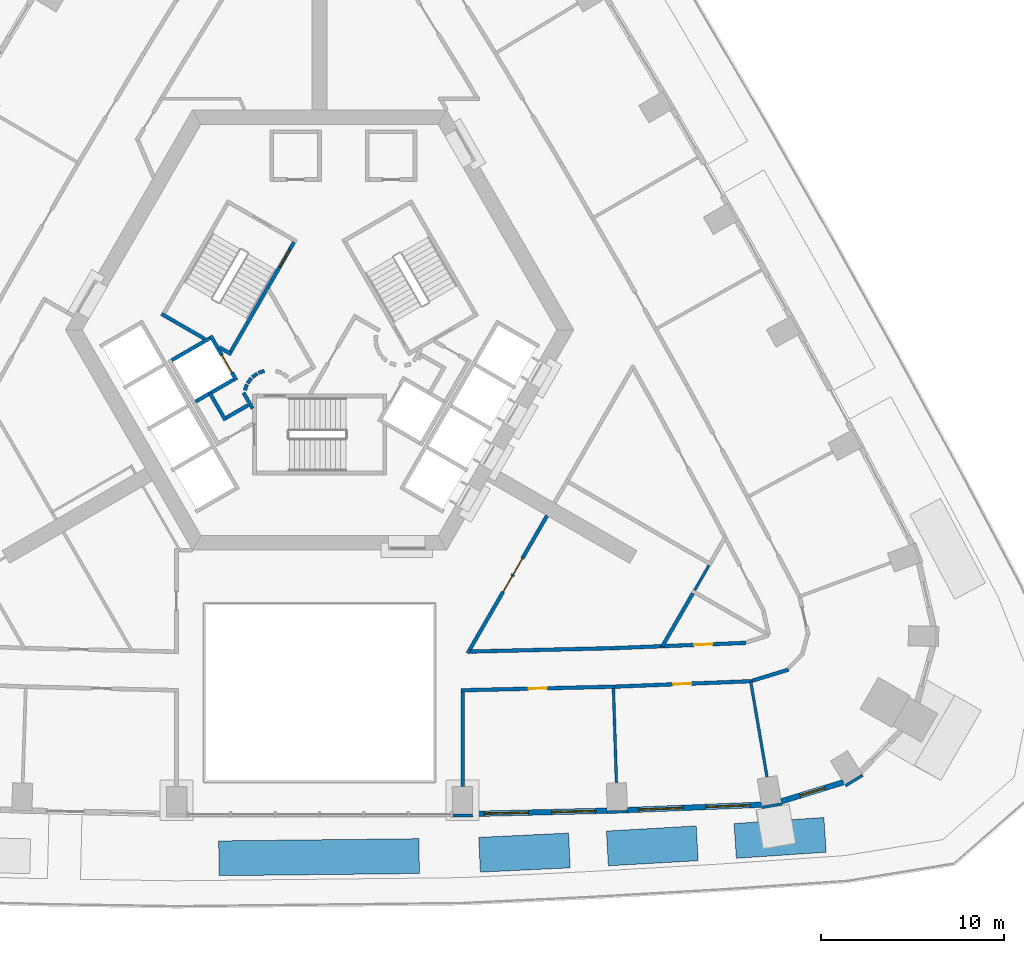
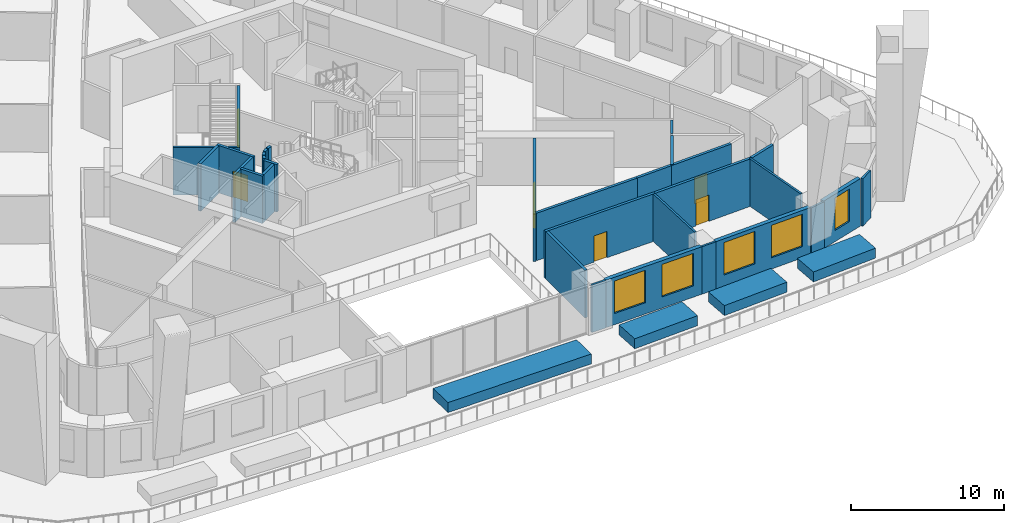
# One storey, part 6 of 16: 36 walls, 7 doors, 5 windows, 12 openings.
"""IFC4 building model written with IfcOpenShell, lengths in metres."""

from ifc_helpers import new_model, si_unit, direction, frame, frame_2d, origin, place, context, subcontext, project, spatial, rectangle, extrude, material, layer, layer_set, type_object, element, fill, save


model = new_model("IFC4")

# Units and contexts
model_context = context("Model", 3, precision=1e-05, world=origin(), true_north=direction((0.0, 1.0)))
body_context = subcontext(model_context, "Body", "Model", "MODEL_VIEW")
ifc_project = project(units=[si_unit("LENGTHUNIT", "METRE"), si_unit("AREAUNIT", "SQUARE_METRE"), si_unit("VOLUMEUNIT", "CUBIC_METRE"), si_unit("PLANEANGLEUNIT", "RADIAN"), si_unit("MASSUNIT", "GRAM", prefix="KILO")], contexts=[model_context])

# Site, building, storey
site_placement = place(None, origin())
site = spatial("IfcSite", under=ifc_project, at=site_placement, CompositionType="ELEMENT")
building_placement = place(site_placement, origin())
building = spatial("IfcBuilding", under=site, at=building_placement, Name="Entoto Arch Interchange Tower", CompositionType="ELEMENT")
storey_placement = place(building_placement, frame((0.0, 0.0, 138.199951171875)))
storey = spatial("IfcBuildingStorey", under=building, at=storey_placement, Name="L30", CompositionType="ELEMENT", Elevation=138.199951171875)

# Wall, opening, door
ifc_material_1 = material(Name="Concrete C40/50", Category="concrete")
ifc_layer_1 = layer(ifc_material_1, 0.199951171875)
ifc_layer_set_1 = layer_set([ifc_layer_1], Name="Concrete C40/50")
wall_type_1 = type_object("IfcWallType", Name="LIFT SHAFT WALL 200", PredefinedType="STANDARD", material=ifc_layer_set_1)
wall_1_placement = place(storey_placement, frame((-5.93994140625, 2.18798828125, 0.0), z_axis=(0.0, 0.0, 1.0), x_axis=(0.49994636267, -0.866056369097, 0.0)))
wall_1 = element("IfcWall", 1, at=wall_1_placement, inside=storey, type_object=wall_type_1, Name="Shaft wall SW1 front", PredefinedType="STANDARD", context=body_context, shape_type="SweptSolid", body=[
    extrude(rectangle(XDim=2.800048828125, YDim=0.199951171875, at=frame_2d((1.39990234375, 0.0))), origin(), (0.0, 0.0, 1.0), 3.800048828125),
])
opening_1_placement = place(wall_1_placement, frame((1.22509765625, 0.0, 0.0)))
opening_1 = element("IfcOpeningElement", 2, at=opening_1_placement, cuts=wall_1, Name="Opening LD-FF2-L30", PredefinedType="OPENING", context=body_context, shape_type="SweptSolid", body=[
    extrude(rectangle(XDim=1.10009765625, YDim=2.10009765625, at=frame_2d((0.550048828125, 1.050048828125))), frame((0.0, 0.10986328125, 0.0), z_axis=(0.0, -1.0, 0.0), x_axis=(1.0, 0.0, 0.0)), (0.0, 0.0, 1.0), 0.219970703125),
])
ifc_material_2 = material(Name="Stainless steel 1.4301 panels", Category="steel")
door_type_1 = type_object("IfcDoorType", Name="LIFT LANDING DOOR LD1 1100x2100", OperationType="SLIDING_TO_LEFT", PredefinedType="DOOR", material=ifc_material_2)
door_1_placement = place(opening_1_placement, origin())
door_1 = element("IfcDoor", 3, at=door_1_placement, inside=storey, type_object=door_type_1, Name="Lift landing door FF2 L30", OperationType="SLIDING_TO_LEFT", OverallHeight=2.10009765625, OverallWidth=1.10009765625, PredefinedType="DOOR", context=body_context, shape_type="SweptSolid", body=[
    extrude(rectangle(XDim=1.10009765625, YDim=2.10009765625, at=frame_2d((0.550048828125, 1.050048828125))), frame((0.0, 0.02490234375, 0.0), z_axis=(0.0, -1.0, 0.0), x_axis=(1.0, 0.0, 0.0)), (0.0, 0.0, 1.0), 0.050048828125),
])
fill(opening_1, door_1)

# Walls
for number, where, z_axis, x_axis, name in (
    (4, (-5.97705078125, 2.052001953125, 0.0), (0.0, 0.0, 1.0), (-0.865973769406, -0.500089422704, 0.0), "Shaft wall SW1 cross 1"),
    (5, (-4.677001953125, -0.199951171875, 0.0), (0.0, 0.0, 1.0), (-0.865973769406, -0.500089422704, 0.0), "Shaft wall SW1 cross 2"),
):
    element("IfcWall", number, at=place(storey_placement, frame(where, z_axis=z_axis, x_axis=x_axis)), inside=storey, type_object=wall_type_1, Name=name, PredefinedType="STANDARD", context=body_context, shape_type="SweptSolid", body=[
        extrude(rectangle(XDim=2.3994140625, YDim=0.199951171875, at=frame_2d((1.19970703125, 0.0))), origin(), (0.0, 0.0, 1.0), 3.800048828125),
    ])
ifc_material_3 = material(Name="Gypsum board partition on steel studs", Category="steel")
ifc_layer_2 = layer(ifc_material_3, 0.14990234375)
ifc_layer_set_2 = layer_set([ifc_layer_2], Name="Gypsum board partition on steel studs")
wall_type_2 = type_object("IfcWallType", Name="PARTITION 150", PredefinedType="PARTITIONING", material=ifc_layer_set_2)
wall_2_placement = place(storey_placement, frame((21.22802734375, -10.3310546875, 0.0), z_axis=(0.0, 0.0, 1.0), x_axis=(-0.499920861661, -0.866071089505, 0.0)))
element("IfcWall", 6, at=wall_2_placement, inside=storey, type_object=wall_type_2, Name="wall:L30:p111", PredefinedType="PARTITIONING", context=body_context, shape_type="SweptSolid", body=[
    extrude(rectangle(XDim=1.562255859375, YDim=0.14990234375, at=frame_2d((0.78125, 0.0))), origin(), (0.0, 0.0, 1.0), 3.800048828125),
])
wall_3_placement = place(storey_placement, frame((16.01806640625, -17.044921875, 0.0), z_axis=(0.0, 0.0, 1.0), x_axis=(0.031744385759, -0.999496019988, 0.0)))
element("IfcWall", 7, at=wall_3_placement, inside=storey, type_object=wall_type_2, Name="wall:L30:p123", PredefinedType="PARTITIONING", context=body_context, shape_type="SweptSolid", body=[
    extrude(rectangle(XDim=5.1298828125, YDim=0.14990234375, at=frame_2d((2.56494140625, 0.0))), origin(), (0.0, 0.0, 1.0), 3.800048828125),
])
wall_4_placement = place(storey_placement, frame((23.498046875, -16.64599609375, 0.0), z_axis=(0.0, 0.0, 1.0), x_axis=(0.168275674737, -0.985739974482, 0.0)))
element("IfcWall", 8, at=wall_4_placement, inside=storey, type_object=wall_type_2, Name="wall:L30:p124", PredefinedType="PARTITIONING", context=body_context, shape_type="SweptSolid", body=[
    extrude(rectangle(XDim=5.288330078125, YDim=0.14990234375, at=frame_2d((2.64404296875, 0.0))), origin(), (0.0, 0.0, 1.0), 3.800048828125),
])
ifc_layer_3 = layer(ifc_material_3, 0.199951171875)
ifc_layer_set_3 = layer_set([ifc_layer_3], Name="Gypsum board partition on steel studs")
wall_type_3 = type_object("IfcWallType", Name="PARTITION 200", PredefinedType="PARTITIONING", material=ifc_layer_set_3)
wall_5_placement = place(storey_placement, frame((8.222900390625, -15.029052734375, 0.0), z_axis=(0.0, 0.0, 1.0), x_axis=(0.99971920994, 0.023696018186, 0.0)))
element("IfcWall", 9, at=wall_5_placement, inside=storey, type_object=wall_type_3, Name="wall:L30:p013", PredefinedType="PARTITIONING", context=body_context, shape_type="SweptSolid", body=[
    extrude(rectangle(XDim=7.727294921875, YDim=0.199951171875, at=frame_2d((3.86376953125, 0.0))), origin(), (0.0, 0.0, 1.0), 3.800048828125),
])
wall_6_placement = place(storey_placement, frame((15.947998046875, -14.845947265625, 0.0), z_axis=(0.0, 0.0, 1.0), x_axis=(0.999208477774, 0.039779617206, 0.0)))
element("IfcWall", 10, at=wall_6_placement, inside=storey, type_object=wall_type_3, Name="wall:L30:p014", PredefinedType="PARTITIONING", context=body_context, shape_type="SweptSolid", body=[
    extrude(rectangle(XDim=2.63916015625, YDim=0.199951171875, at=frame_2d((1.319580078125, 0.0))), origin(), (0.0, 0.0, 1.0), 3.800048828125),
])

# Wall, opening, door
wall_7_placement = place(storey_placement, frame((18.5849609375, -14.740966796875, 0.0), z_axis=(0.0, 0.0, 1.0), x_axis=(0.99920304932, 0.039915739113, 0.0)))
wall_7 = element("IfcWall", 11, at=wall_7_placement, inside=storey, type_object=wall_type_3, Name="wall:L30:p018", PredefinedType="PARTITIONING", context=body_context, shape_type="SweptSolid", body=[
    extrude(rectangle(XDim=4.66064453125, YDim=0.199951171875, at=frame_2d((2.330322265625, 0.0))), origin(), (0.0, 0.0, 1.0), 3.800048828125),
])
opening_2_placement = place(wall_7_placement, frame((1.830078125, 0.0, 0.0)))
opening_2 = element("IfcOpeningElement", 12, at=opening_2_placement, cuts=wall_7, Name="Opening L30-D21", PredefinedType="OPENING", context=body_context, shape_type="SweptSolid", body=[
    extrude(rectangle(XDim=1.0, YDim=2.10009765625, at=frame_2d((0.5, 1.050048828125))), frame((0.0, 0.10986328125, 0.0), z_axis=(0.0, -1.0, 0.0), x_axis=(1.0, 0.0, 0.0)), (0.0, 0.0, 1.0), 0.219970703125),
])
ifc_material_4 = material(Name="Timber door leaf in Steel S235 frame", Category="steel")
door_type_2 = type_object("IfcDoorType", Name="DOOR DS-10 1000x2100", OperationType="SINGLE_SWING_LEFT", PredefinedType="DOOR", material=ifc_material_4)
door_2_placement = place(opening_2_placement, origin())
door_2 = element("IfcDoor", 13, at=door_2_placement, inside=storey, type_object=door_type_2, Name="door:L30:21", OperationType="SINGLE_SWING_LEFT", OverallHeight=2.10009765625, OverallWidth=1.0, PredefinedType="DOOR", context=body_context, shape_type="SweptSolid", body=[
    extrude(rectangle(XDim=1.0, YDim=2.10009765625, at=frame_2d((0.5, 1.050048828125))), frame((0.0, 0.02490234375, 0.0), z_axis=(0.0, -1.0, 0.0), x_axis=(1.0, 0.0, 0.0)), (0.0, 0.0, 1.0), 0.050048828125),
])
fill(opening_2, door_2)

wall_8_placement = place(storey_placement, frame((16.090087890625, -16.943115234375, 0.0), z_axis=(0.0, 0.0, 1.0), x_axis=(-0.999721662071, -0.023592337425, 0.0)))
wall_8 = element("IfcWall", 14, at=wall_8_placement, inside=storey, type_object=wall_type_3, Name="wall:L30:p032", PredefinedType="PARTITIONING", context=body_context, shape_type="SweptSolid", body=[
    extrude(rectangle(XDim=8.392578125, YDim=0.199951171875, at=frame_2d((4.1962890625, 0.0))), origin(), (0.0, 0.0, 1.0), 3.800048828125),
])
opening_3_placement = place(wall_8_placement, frame((3.696044921875, 0.0, 0.0)))
opening_3 = element("IfcOpeningElement", 15, at=opening_3_placement, cuts=wall_8, Name="Opening L30-D01", PredefinedType="OPENING", context=body_context, shape_type="SweptSolid", body=[
    extrude(rectangle(XDim=1.0, YDim=2.10009765625, at=frame_2d((0.5, 1.050048828125))), frame((0.0, 0.10986328125, 0.0), z_axis=(0.0, -1.0, 0.0), x_axis=(1.0, 0.0, 0.0)), (0.0, 0.0, 1.0), 0.219970703125),
])
door_3_placement = place(opening_3_placement, origin())
door_3 = element("IfcDoor", 16, at=door_3_placement, inside=storey, type_object=door_type_2, Name="door:L30:01", OperationType="SINGLE_SWING_RIGHT", OverallHeight=2.10009765625, OverallWidth=1.0, PredefinedType="DOOR", context=body_context, shape_type="SweptSolid", body=[
    extrude(rectangle(XDim=1.0, YDim=2.10009765625, at=frame_2d((0.5, 1.050048828125))), frame((0.0, 0.02490234375, 0.0), z_axis=(0.0, -1.0, 0.0), x_axis=(1.0, 0.0, 0.0)), (0.0, 0.0, 1.0), 0.050048828125),
])
fill(opening_3, door_3)

wall_9_placement = place(storey_placement, frame((23.597900390625, -16.64208984375, 0.0), z_axis=(0.0, 0.0, 1.0), x_axis=(-0.999203655486, -0.039900562205, 0.0)))
wall_9 = element("IfcWall", 17, at=wall_9_placement, inside=storey, type_object=wall_type_3, Name="wall:L30:p033", PredefinedType="PARTITIONING", context=body_context, shape_type="SweptSolid", body=[
    extrude(rectangle(XDim=7.513916015625, YDim=0.199951171875, at=frame_2d((3.7568359375, 0.0))), origin(), (0.0, 0.0, 1.0), 3.800048828125),
])
opening_4_placement = place(wall_9_placement, frame((3.33203125, 0.0, 0.0)))
opening_4 = element("IfcOpeningElement", 18, at=opening_4_placement, cuts=wall_9, Name="Opening L30-D02", PredefinedType="OPENING", context=body_context, shape_type="SweptSolid", body=[
    extrude(rectangle(XDim=1.0, YDim=2.10009765625, at=frame_2d((0.5, 1.050048828125))), frame((0.0, 0.10986328125, 0.0), z_axis=(0.0, -1.0, 0.0), x_axis=(1.0, 0.0, 0.0)), (0.0, 0.0, 1.0), 0.219970703125),
])
door_4_placement = place(opening_4_placement, origin())
door_4 = element("IfcDoor", 19, at=door_4_placement, inside=storey, type_object=door_type_2, Name="door:L30:02", OperationType="SINGLE_SWING_LEFT", OverallHeight=2.10009765625, OverallWidth=1.0, PredefinedType="DOOR", context=body_context, shape_type="SweptSolid", body=[
    extrude(rectangle(XDim=1.0, YDim=2.10009765625, at=frame_2d((0.5, 1.050048828125))), frame((0.0, 0.02490234375, 0.0), z_axis=(0.0, -1.0, 0.0), x_axis=(1.0, 0.0, 0.0)), (0.0, 0.0, 1.0), 0.050048828125),
])
fill(opening_4, door_4)

# Walls
wall_10_placement = place(storey_placement, frame((25.56298828125, -16.011962890625, 0.0), z_axis=(0.0, 0.0, 1.0), x_axis=(-0.955896815358, -0.293702704087, 0.0)))
element("IfcWall", 20, at=wall_10_placement, inside=storey, type_object=wall_type_3, Name="wall:L30:p037", PredefinedType="PARTITIONING", context=body_context, shape_type="SweptSolid", body=[
    extrude(rectangle(XDim=2.059814453125, YDim=0.199951171875, at=frame_2d((1.02978515625, 0.0))), origin(), (0.0, 0.0, 1.0), 3.800048828125),
])
wall_11_placement = place(storey_placement, frame((-3.89990234375, -1.59912109375, 0.0), z_axis=(0.0, 0.0, 1.0), x_axis=(-0.865969445389, -0.500096910261, 0.0)))
element("IfcWall", 21, at=wall_11_placement, inside=storey, type_object=wall_type_3, Name="wall:L30:p080", PredefinedType="PARTITIONING", context=body_context, shape_type="SweptSolid", body=[
    extrude(rectangle(XDim=1.373291015625, YDim=0.199951171875, at=frame_2d((0.6865234375, 0.0))), origin(), (0.0, 0.0, 1.0), 3.800048828125),
])
wall_12_placement = place(storey_placement, frame((-5.1259765625, -2.422119140625, 0.0), z_axis=(0.0, 0.0, 1.0), x_axis=(-0.500062241894, 0.865989465428, 0.0)))
element("IfcWall", 22, at=wall_12_placement, inside=storey, type_object=wall_type_3, Name="wall:L30:p081", PredefinedType="PARTITIONING", context=body_context, shape_type="SweptSolid", body=[
    extrude(rectangle(XDim=1.699951171875, YDim=0.199951171875, at=frame_2d((0.85009765625, 0.0))), origin(), (0.0, 0.0, 1.0), 3.800048828125),
])
wall_13_placement = place(storey_placement, frame((-4.14501953125, -0.919921875, 0.0), z_axis=(0.0, 0.0, 1.0), x_axis=(0.499743786207, -0.866173278362, 0.0)))
element("IfcWall", 23, at=wall_13_placement, inside=storey, type_object=wall_type_3, Name="wall:L30:p084", PredefinedType="PARTITIONING", context=body_context, shape_type="SweptSolid", body=[
    extrude(rectangle(XDim=0.99072265625, YDim=0.199951171875, at=frame_2d((0.495361328125, 0.0))), origin(), (0.0, 0.0, 1.0), 3.800048828125),
])
wall_14_placement = place(storey_placement, frame((-3.011962890625, 0.27294921875, 0.0), z_axis=(0.0, 0.0, 1.0), x_axis=(-0.942280615813, -0.334824194261, 0.0)))
element("IfcWall", 24, at=wall_14_placement, inside=storey, type_object=wall_type_3, Name="wall:L30:p099", PredefinedType="PARTITIONING", context=body_context, shape_type="SweptSolid", body=[
    extrude(rectangle(XDim=0.337646484375, YDim=0.199951171875, at=frame_2d((0.1689453125, 0.0))), origin(), (0.0, 0.0, 1.0), 3.800048828125),
])
wall_15_placement = place(storey_placement, frame((-3.39697265625, 0.1240234375, 0.0), z_axis=(0.0, 0.0, 1.0), x_axis=(-0.804311165252, -0.594208338422, 0.0)))
element("IfcWall", 25, at=wall_15_placement, inside=storey, type_object=wall_type_3, Name="wall:L30:p100", PredefinedType="PARTITIONING", context=body_context, shape_type="SweptSolid", body=[
    extrude(rectangle(XDim=0.338134765625, YDim=0.199951171875, at=frame_2d((0.1689453125, 0.0))), origin(), (0.0, 0.0, 1.0), 3.800048828125),
])
wall_16_placement = place(storey_placement, frame((-3.722900390625, -0.131103515625, 0.0), z_axis=(0.0, 0.0, 1.0), x_axis=(-0.594675113454, -0.803966112121, 0.0)))
element("IfcWall", 26, at=wall_16_placement, inside=storey, type_object=wall_type_3, Name="wall:L30:p101", PredefinedType="PARTITIONING", context=body_context, shape_type="SweptSolid", body=[
    extrude(rectangle(XDim=0.33837890625, YDim=0.199951171875, at=frame_2d((0.169189453125, 0.0))), origin(), (0.0, 0.0, 1.0), 3.800048828125),
])
wall_17_placement = place(storey_placement, frame((-3.9599609375, -0.469970703125, 0.0), z_axis=(0.0, 0.0, 1.0), x_axis=(-0.334824194261, -0.942280615813, 0.0)))
element("IfcWall", 27, at=wall_17_placement, inside=storey, type_object=wall_type_3, Name="wall:L30:p102", PredefinedType="PARTITIONING", context=body_context, shape_type="SweptSolid", body=[
    extrude(rectangle(XDim=0.337646484375, YDim=0.199951171875, at=frame_2d((0.1689453125, 0.0))), origin(), (0.0, 0.0, 1.0), 3.800048828125),
])
wall_18_placement = place(storey_placement, frame((7.800048828125, -17.239013671875, 0.0), z_axis=(0.0, 0.0, 1.0), x_axis=(0.0, -1.0, 0.0)))
element("IfcWall", 28, at=wall_18_placement, inside=storey, type_object=wall_type_3, Name="wall:L30:p105", PredefinedType="PARTITIONING", context=body_context, shape_type="SweptSolid", body=[
    extrude(rectangle(XDim=5.132080078125, YDim=0.199951171875, at=frame_2d((2.56591796875, 0.0))), origin(), (0.0, 0.0, 1.0), 3.800048828125),
])
wall_19_placement = place(storey_placement, frame((20.346923828125, -11.85791015625, 0.0), z_axis=(0.0, 0.0, 1.0), x_axis=(-0.49990681678, -0.866079196458, 0.0)))
element("IfcWall", 29, at=wall_19_placement, inside=storey, type_object=wall_type_3, Name="wall:L30:p110", PredefinedType="PARTITIONING", context=body_context, shape_type="SweptSolid", body=[
    extrude(rectangle(XDim=3.324462890625, YDim=0.199951171875, at=frame_2d((1.662109375, 0.0))), origin(), (0.0, 0.0, 1.0), 3.800048828125),
])

# Wall, openings, doors
wall_20_placement = place(storey_placement, frame((12.40087890625, -7.62109375, 0.0), z_axis=(0.0, 0.0, 1.0), x_axis=(-0.499964151829, -0.866046099747, 0.0)))
wall_20 = element("IfcWall", 30, at=wall_20_placement, inside=storey, type_object=wall_type_3, Name="wall:L30:p107", PredefinedType="PARTITIONING", context=body_context, shape_type="SweptSolid", body=[
    extrude(rectangle(XDim=8.656494140625, YDim=0.199951171875, at=frame_2d((4.328125, 0.0))), origin(), (0.0, 0.0, 1.0), 3.800048828125),
])
opening_5_placement = place(wall_20_placement, frame((2.694091796875, 0.0, 0.0)))
opening_5 = element("IfcOpeningElement", 31, at=opening_5_placement, cuts=wall_20, Name="Opening L30-D19", PredefinedType="OPENING", context=body_context, shape_type="SweptSolid", body=[
    extrude(rectangle(XDim=1.0, YDim=2.10009765625, at=frame_2d((0.5, 1.050048828125))), frame((0.0, 0.10986328125, 0.0), z_axis=(0.0, -1.0, 0.0), x_axis=(1.0, 0.0, 0.0)), (0.0, 0.0, 1.0), 0.219970703125),
])
opening_6_placement = place(wall_20_placement, frame((3.7939453125, 0.0, 0.0)))
opening_6 = element("IfcOpeningElement", 32, at=opening_6_placement, cuts=wall_20, Name="Opening L30-D37", PredefinedType="OPENING", context=body_context, shape_type="SweptSolid", body=[
    extrude(rectangle(XDim=1.0, YDim=2.10009765625, at=frame_2d((0.5, 1.050048828125))), frame((0.0, 0.10986328125, 0.0), z_axis=(0.0, -1.0, 0.0), x_axis=(1.0, 0.0, 0.0)), (0.0, 0.0, 1.0), 0.219970703125),
])
door_5_placement = place(opening_5_placement, origin())
door_5 = element("IfcDoor", 33, at=door_5_placement, inside=storey, type_object=door_type_2, Name="door:L30:19", OperationType="SINGLE_SWING_LEFT", OverallHeight=2.10009765625, OverallWidth=1.0, PredefinedType="DOOR", context=body_context, shape_type="SweptSolid", body=[
    extrude(rectangle(XDim=1.0, YDim=2.10009765625, at=frame_2d((0.5, 1.050048828125))), frame((0.0, 0.02490234375, 0.0), z_axis=(0.0, -1.0, 0.0), x_axis=(1.0, 0.0, 0.0)), (0.0, 0.0, 1.0), 0.050048828125),
])
fill(opening_5, door_5)
door_6_placement = place(opening_6_placement, origin())
door_6 = element("IfcDoor", 34, at=door_6_placement, inside=storey, type_object=door_type_2, Name="door:L30:37", OperationType="SINGLE_SWING_RIGHT", OverallHeight=2.10009765625, OverallWidth=1.0, PredefinedType="DOOR", context=body_context, shape_type="SweptSolid", body=[
    extrude(rectangle(XDim=1.0, YDim=2.10009765625, at=frame_2d((0.5, 1.050048828125))), frame((0.0, 0.02490234375, 0.0), z_axis=(0.0, -1.0, 0.0), x_axis=(1.0, 0.0, 0.0)), (0.0, 0.0, 1.0), 0.050048828125),
])
fill(opening_6, door_6)

# Walls
ifc_material_5 = material(Name="Board-marked precast concrete C50/60", Category="concrete")
ifc_layer_4 = layer(ifc_material_5, 1.89990234375)
ifc_layer_set_4 = layer_set([ifc_layer_4], Name="Board-marked precast concrete C50/60")
wall_type_4 = type_object("IfcWallType", Name="PLANTER RC 1900 Afrocarpus falcatus", PredefinedType="STANDARD", material=ifc_layer_set_4)
wall_21_placement = place(storey_placement, frame((-5.489990234375, -26.299072265625, 0.0), z_axis=(0.0, 0.0, 1.0), x_axis=(0.999938519931, 0.011088568813, 0.0)))
element("IfcWall", 35, at=wall_21_placement, inside=storey, type_object=wall_type_4, Name="Terrace planter S-04 L30", PredefinedType="STANDARD", context=body_context, shape_type="SweptSolid", body=[
    extrude(rectangle(XDim=10.920654296875, YDim=1.89990234375, at=frame_2d((5.46044921875, 0.0))), origin(), (0.0, 0.0, 1.0), 0.800048828125),
])
ifc_layer_5 = layer(ifc_material_5, 1.89990234375)
ifc_layer_set_5 = layer_set([ifc_layer_5], Name="Board-marked precast concrete C50/60")
wall_type_5 = type_object("IfcWallType", Name="PLANTER RC 1900 Hagenia abyssinica", PredefinedType="STANDARD", material=ifc_layer_set_5)
wall_22_placement = place(storey_placement, frame((8.719970703125, -26.10498046875, 0.0), z_axis=(0.0, 0.0, 1.0), x_axis=(0.998861367639, 0.047707108894, 0.0)))
element("IfcWall", 36, at=wall_22_placement, inside=storey, type_object=wall_type_5, Name="Terrace planter S-05 L30", PredefinedType="STANDARD", context=body_context, shape_type="SweptSolid", body=[
    extrude(rectangle(XDim=4.902587890625, YDim=1.89990234375, at=frame_2d((2.451171875, 0.0))), origin(), (0.0, 0.0, 1.0), 0.800048828125),
])
ifc_layer_6 = layer(ifc_material_5, 1.89990234375)
ifc_layer_set_6 = layer_set([ifc_layer_6], Name="Board-marked precast concrete C50/60")
wall_type_6 = type_object("IfcWallType", Name="PLANTER RC 1900 Olea europaea subsp. cuspidata", PredefinedType="STANDARD", material=ifc_layer_set_6)
wall_23_placement = place(storey_placement, frame((22.656005859375, -25.35107421875, 0.0), z_axis=(0.0, 0.0, 1.0), x_axis=(0.997736026517, 0.067251924811, 0.0)))
element("IfcWall", 37, at=wall_23_placement, inside=storey, type_object=wall_type_6, Name="Terrace planter S-07 L30", PredefinedType="STANDARD", context=body_context, shape_type="SweptSolid", body=[
    extrude(rectangle(XDim=4.908203125, YDim=1.89990234375, at=frame_2d((2.4541015625, 0.0))), origin(), (0.0, 0.0, 1.0), 0.800048828125),
])
ifc_layer_7 = layer(ifc_material_5, 1.89990234375)
ifc_layer_set_7 = layer_set([ifc_layer_7], Name="Board-marked precast concrete C50/60")
wall_type_7 = type_object("IfcWallType", Name="PLANTER RC 1900 Vachellia abyssinica", PredefinedType="STANDARD", material=ifc_layer_set_7)
wall_24_placement = place(storey_placement, frame((15.68896484375, -25.761962890625, 0.0), z_axis=(0.0, 0.0, 1.0), x_axis=(0.998356963314, 0.057300731264, 0.0)))
element("IfcWall", 38, at=wall_24_placement, inside=storey, type_object=wall_type_7, Name="Terrace planter S-06 L30", PredefinedType="STANDARD", context=body_context, shape_type="SweptSolid", body=[
    extrude(rectangle(XDim=4.904052734375, YDim=1.89990234375, at=frame_2d((2.4521484375, 0.0))), origin(), (0.0, 0.0, 1.0), 0.800048828125),
])
ifc_layer_8 = layer(ifc_material_1, 0.199951171875)
ifc_layer_set_8 = layer_set([ifc_layer_8], Name="Concrete C40/50")
wall_type_8 = type_object("IfcWallType", Name="STAIR ENCLOSURE WALL 200", PredefinedType="STANDARD", material=ifc_layer_set_8)
wall_25_placement = place(storey_placement, frame((-6.25, 2.010009765625, 0.0), z_axis=(0.0, 0.0, 1.0), x_axis=(-0.86611865017, 0.499838457731, 0.0)))
element("IfcWall", 39, at=wall_25_placement, inside=storey, type_object=wall_type_8, Name="Stair wall ST-NW far", PredefinedType="STANDARD", context=body_context, shape_type="SweptSolid", body=[
    extrude(rectangle(XDim=2.73291015625, YDim=0.199951171875, at=frame_2d((1.366455078125, 0.0))), origin(), (0.0, 0.0, 1.0), 3.800048828125),
])
wall_26_placement = place(storey_placement, frame((-4.805908203125, 1.176025390625, 0.0), z_axis=(0.0, 0.0, 1.0), x_axis=(-0.866558586415, 0.499075361355, 0.0)))
element("IfcWall", 40, at=wall_26_placement, inside=storey, type_object=wall_type_8, Name="Stair wall ST-NW far return", PredefinedType="STANDARD", context=body_context, shape_type="SweptSolid", body=[
    extrude(rectangle(XDim=0.75146484375, YDim=0.199951171875, at=frame_2d((0.375732421875, 0.0))), origin(), (0.0, 0.0, 1.0), 3.800048828125),
])

# Wall, opening, door
wall_27_placement = place(storey_placement, frame((-1.39306640625, 7.2880859375, 0.0), z_axis=(0.0, 0.0, 1.0), x_axis=(-0.499963383562, -0.866046543262, 0.0)))
wall_27 = element("IfcWall", 41, at=wall_27_placement, inside=storey, type_object=wall_type_8, Name="Stair wall ST-NW hall", PredefinedType="STANDARD", context=body_context, shape_type="SweptSolid", body=[
    extrude(rectangle(XDim=6.900390625, YDim=0.199951171875, at=frame_2d((3.4501953125, 0.0))), origin(), (0.0, 0.0, 1.0), 3.800048828125),
])
opening_7_placement = place(wall_27_placement, frame((0.449951171875, 0.0, 0.0)))
opening_7 = element("IfcOpeningElement", 42, at=opening_7_placement, cuts=wall_27, Name="Opening SD-ST-NW-L30", PredefinedType="OPENING", context=body_context, shape_type="SweptSolid", body=[
    extrude(rectangle(XDim=1.10009765625, YDim=2.199951171875, at=frame_2d((0.550048828125, 1.10009765625))), frame((0.0, 0.10986328125, 0.0), z_axis=(0.0, -1.0, 0.0), x_axis=(1.0, 0.0, 0.0)), (0.0, 0.0, 1.0), 0.219970703125),
])
ifc_material_6 = material(Name="Steel S235", Category="steel")
door_type_3 = type_object("IfcDoorType", Name="STAIR DOOR SD1 1100x2200", OperationType="SINGLE_SWING_LEFT", PredefinedType="DOOR", material=ifc_material_6)
door_7_placement = place(opening_7_placement, origin())
door_7 = element("IfcDoor", 43, at=door_7_placement, inside=storey, type_object=door_type_3, Name="Stair door ST-NW L30", OperationType="SINGLE_SWING_LEFT", OverallHeight=2.199951171875, OverallWidth=1.10009765625, PredefinedType="DOOR", context=body_context, shape_type="SweptSolid", body=[
    extrude(rectangle(XDim=1.10009765625, YDim=2.199951171875, at=frame_2d((0.550048828125, 1.10009765625))), frame((0.0, 0.02490234375, 0.0), z_axis=(0.0, -1.0, 0.0), x_axis=(1.0, 0.0, 0.0)), (0.0, 0.0, 1.0), 0.050048828125),
])
fill(opening_7, door_7)

# Wall, openings, windows
ifc_material_7 = material(Name="Welded tuff (ignimbrite) cladding, warm buff", Category="masonry")
ifc_layer_9 = layer(ifc_material_7, 0.300048828125)
ifc_layer_set_9 = layer_set([ifc_layer_9], Name="Welded tuff (ignimbrite) cladding, warm buff")
wall_type_9 = type_object("IfcWallType", Name="STONE INFILL WALL 300", PredefinedType="STANDARD", material=ifc_layer_set_9)
wall_28_placement = place(storey_placement, frame((8.346923828125, -23.8779296875, 0.0), z_axis=(0.0, 0.0, 1.0), x_axis=(0.999722302867, 0.023565168146, 0.0)))
wall_28 = element("IfcWall", 44, at=wall_28_placement, inside=storey, type_object=wall_type_9, Name="Facade wall S-04 L30", PredefinedType="STANDARD", context=body_context, shape_type="SweptSolid", body=[
    extrude(rectangle(XDim=7.3349609375, YDim=0.300048828125, at=frame_2d((3.66748046875, 0.0))), origin(), (0.0, 0.0, 1.0), 3.800048828125),
])
opening_8_placement = place(wall_28_placement, frame((0.634033203125, 0.0, 0.89990234375)))
opening_8 = element("IfcOpeningElement", 45, at=opening_8_placement, cuts=wall_28, Name="Opening WO-A", PredefinedType="OPENING", context=body_context, shape_type="SweptSolid", body=[
    extrude(rectangle(XDim=2.39990234375, YDim=2.60009765625, at=frame_2d((1.199951171875, 1.300048828125))), frame((0.0, 0.16015625, 0.0), z_axis=(0.0, -1.0, 0.0), x_axis=(1.0, 0.0, 0.0)), (0.0, 0.0, 1.0), 0.320068359375),
])
opening_9_placement = place(wall_28_placement, frame((4.301025390625, 0.0, 0.89990234375)))
opening_9 = element("IfcOpeningElement", 46, at=opening_9_placement, cuts=wall_28, Name="Opening WO-A", PredefinedType="OPENING", context=body_context, shape_type="SweptSolid", body=[
    extrude(rectangle(XDim=2.39990234375, YDim=2.60009765625, at=frame_2d((1.199951171875, 1.300048828125))), frame((0.0, 0.16015625, 0.0), z_axis=(0.0, -1.0, 0.0), x_axis=(1.0, 0.0, 0.0)), (0.0, 0.0, 1.0), 0.320068359375),
])
ifc_material_8 = material(Name="Clear glass, low-e double glazed", Category="glass")
window_type_1 = type_object("IfcWindowType", Name="WINDOW WO-A 2400x2600", PartitioningType="DOUBLE_PANEL_VERTICAL", PredefinedType="WINDOW", material=ifc_material_8)
window_1_placement = place(opening_8_placement, origin())
window_1 = element("IfcWindow", 47, at=window_1_placement, inside=storey, type_object=window_type_1, Name="Window WO-A S-04 L30", OverallHeight=2.60009765625, OverallWidth=2.39990234375, PartitioningType="SINGLE_PANEL", PredefinedType="WINDOW", context=body_context, shape_type="SweptSolid", body=[
    extrude(rectangle(XDim=2.39990234375, YDim=2.60009765625, at=frame_2d((1.199951171875, 1.300048828125))), frame((0.0, 0.030029296875, 0.0), z_axis=(0.0, -1.0, 0.0), x_axis=(1.0, 0.0, 0.0)), (0.0, 0.0, 1.0), 0.06005859375),
])
fill(opening_8, window_1)
window_2_placement = place(opening_9_placement, origin())
window_2 = element("IfcWindow", 48, at=window_2_placement, inside=storey, type_object=window_type_1, Name="Window WO-A S-04 L30", OverallHeight=2.60009765625, OverallWidth=2.39990234375, PartitioningType="SINGLE_PANEL", PredefinedType="WINDOW", context=body_context, shape_type="SweptSolid", body=[
    extrude(rectangle(XDim=2.39990234375, YDim=2.60009765625, at=frame_2d((1.199951171875, 1.300048828125))), frame((0.0, 0.030029296875, 0.0), z_axis=(0.0, -1.0, 0.0), x_axis=(1.0, 0.0, 0.0)), (0.0, 0.0, 1.0), 0.06005859375),
])
fill(opening_9, window_2)

wall_29_placement = place(storey_placement, frame((16.778076171875, -23.669921875, 0.0), z_axis=(0.0, 0.0, 1.0), x_axis=(0.999203621229, 0.039901420066, 0.0)))
wall_29 = element("IfcWall", 49, at=wall_29_placement, inside=storey, type_object=wall_type_9, Name="Facade wall S-05 L30", PredefinedType="STANDARD", context=body_context, shape_type="SweptSolid", body=[
    extrude(rectangle(XDim=7.31787109375, YDim=0.300048828125, at=frame_2d((3.658935546875, 0.0))), origin(), (0.0, 0.0, 1.0), 3.800048828125),
])
opening_10_placement = place(wall_29_placement, frame((0.62890625, 0.0, 0.89990234375)))
opening_10 = element("IfcOpeningElement", 50, at=opening_10_placement, cuts=wall_29, Name="Opening WO-A", PredefinedType="OPENING", context=body_context, shape_type="SweptSolid", body=[
    extrude(rectangle(XDim=2.39990234375, YDim=2.60009765625, at=frame_2d((1.199951171875, 1.300048828125))), frame((0.0, 0.16015625, 0.0), z_axis=(0.0, -1.0, 0.0), x_axis=(1.0, 0.0, 0.0)), (0.0, 0.0, 1.0), 0.320068359375),
])
opening_11_placement = place(wall_29_placement, frame((4.2880859375, 0.0, 0.89990234375)))
opening_11 = element("IfcOpeningElement", 51, at=opening_11_placement, cuts=wall_29, Name="Opening WO-A", PredefinedType="OPENING", context=body_context, shape_type="SweptSolid", body=[
    extrude(rectangle(XDim=2.39990234375, YDim=2.60009765625, at=frame_2d((1.199951171875, 1.300048828125))), frame((0.0, 0.16015625, 0.0), z_axis=(0.0, -1.0, 0.0), x_axis=(1.0, 0.0, 0.0)), (0.0, 0.0, 1.0), 0.320068359375),
])
window_3_placement = place(opening_10_placement, origin())
window_3 = element("IfcWindow", 52, at=window_3_placement, inside=storey, type_object=window_type_1, Name="Window WO-A S-05 L30", OverallHeight=2.60009765625, OverallWidth=2.39990234375, PartitioningType="SINGLE_PANEL", PredefinedType="WINDOW", context=body_context, shape_type="SweptSolid", body=[
    extrude(rectangle(XDim=2.39990234375, YDim=2.60009765625, at=frame_2d((1.199951171875, 1.300048828125))), frame((0.0, 0.030029296875, 0.0), z_axis=(0.0, -1.0, 0.0), x_axis=(1.0, 0.0, 0.0)), (0.0, 0.0, 1.0), 0.06005859375),
])
fill(opening_10, window_3)
window_4_placement = place(opening_11_placement, origin())
window_4 = element("IfcWindow", 53, at=window_4_placement, inside=storey, type_object=window_type_1, Name="Window WO-A S-05 L30", OverallHeight=2.60009765625, OverallWidth=2.39990234375, PartitioningType="SINGLE_PANEL", PredefinedType="WINDOW", context=body_context, shape_type="SweptSolid", body=[
    extrude(rectangle(XDim=2.39990234375, YDim=2.60009765625, at=frame_2d((1.199951171875, 1.300048828125))), frame((0.0, 0.030029296875, 0.0), z_axis=(0.0, -1.0, 0.0), x_axis=(1.0, 0.0, 0.0)), (0.0, 0.0, 1.0), 0.06005859375),
])
fill(opening_11, window_4)

# Wall, opening, window
wall_30_placement = place(storey_placement, frame((25.173095703125, -23.193115234375, 0.0), z_axis=(0.0, 0.0, 1.0), x_axis=(0.955874475611, 0.293775402094, 0.0)))
wall_30 = element("IfcWall", 54, at=wall_30_placement, inside=storey, type_object=wall_type_9, Name="Facade wall SE-01 L30", PredefinedType="STANDARD", context=body_context, shape_type="SweptSolid", body=[
    extrude(rectangle(XDim=3.536865234375, YDim=0.300048828125, at=frame_2d((1.7685546875, 0.0))), origin(), (0.0, 0.0, 1.0), 3.800048828125),
])
opening_12_placement = place(wall_30_placement, frame((1.069091796875, 0.0, 0.89990234375)))
opening_12 = element("IfcOpeningElement", 55, at=opening_12_placement, cuts=wall_30, Name="Opening WO-B", PredefinedType="OPENING", context=body_context, shape_type="SweptSolid", body=[
    extrude(rectangle(XDim=1.39990234375, YDim=2.60009765625, at=frame_2d((0.699951171875, 1.300048828125))), frame((0.0, 0.16015625, 0.0), z_axis=(0.0, -1.0, 0.0), x_axis=(1.0, 0.0, 0.0)), (0.0, 0.0, 1.0), 0.320068359375),
])
window_type_2 = type_object("IfcWindowType", Name="WINDOW WO-B 1400x2600", PartitioningType="DOUBLE_PANEL_VERTICAL", PredefinedType="WINDOW", material=ifc_material_8)
window_5_placement = place(opening_12_placement, origin())
window_5 = element("IfcWindow", 56, at=window_5_placement, inside=storey, type_object=window_type_2, Name="Window WO-B SE-01 L30", OverallHeight=2.60009765625, OverallWidth=1.39990234375, PartitioningType="SINGLE_PANEL", PredefinedType="WINDOW", context=body_context, shape_type="SweptSolid", body=[
    extrude(rectangle(XDim=1.39990234375, YDim=2.60009765625, at=frame_2d((0.699951171875, 1.300048828125))), frame((0.0, 0.030029296875, 0.0), z_axis=(0.0, -1.0, 0.0), x_axis=(1.0, 0.0, 0.0)), (0.0, 0.0, 1.0), 0.06005859375),
])
fill(opening_12, window_5)

# Walls
ifc_layer_10 = layer(ifc_material_7, 0.14990234375)
ifc_layer_set_10 = layer_set([ifc_layer_10], Name="Welded tuff (ignimbrite) cladding, warm buff")
wall_type_10 = type_object("IfcWallType", Name="STONE PIER CLADDING 150", PredefinedType="STANDARD", material=ifc_layer_set_10)
wall_31_placement = place(storey_placement, frame((7.2490234375, -23.971923828125, 0.0), z_axis=(0.0, 0.0, 1.0), x_axis=(0.999940879068, 0.010873746799, 0.0)))
element("IfcWall", 57, at=wall_31_placement, inside=storey, type_object=wall_type_10, Name="Stone pier S04 L30", PredefinedType="STANDARD", context=body_context, shape_type="SweptSolid", body=[
    extrude(rectangle(XDim=1.10009765625, YDim=0.14990234375, at=frame_2d((0.550048828125, 0.0))), origin(), (0.0, 0.0, 1.0), 3.800048828125),
])
wall_32_placement = place(storey_placement, frame((15.681884765625, -23.783935546875, 0.0), z_axis=(0.0, 0.0, 1.0), x_axis=(0.999523702549, 0.030860460829, 0.0)))
element("IfcWall", 58, at=wall_32_placement, inside=storey, type_object=wall_type_10, Name="Stone pier S05 L30", PredefinedType="STANDARD", context=body_context, shape_type="SweptSolid", body=[
    extrude(rectangle(XDim=1.099609375, YDim=0.14990234375, at=frame_2d((0.5498046875, 0.0))), origin(), (0.0, 0.0, 1.0), 3.800048828125),
])
wall_33_placement = place(storey_placement, frame((24.114013671875, -23.52392578125, 0.0), z_axis=(0.0, 0.0, 1.0), x_axis=(0.985800082077, 0.167923191299, 0.0)))
element("IfcWall", 59, at=wall_33_placement, inside=storey, type_object=wall_type_10, Name="Stone pier S06 L30", PredefinedType="STANDARD", context=body_context, shape_type="SweptSolid", body=[
    extrude(rectangle(XDim=1.1005859375, YDim=0.14990234375, at=frame_2d((0.55029296875, 0.0))), origin(), (0.0, 0.0, 1.0), 3.800048828125),
])
wall_34_placement = place(storey_placement, frame((28.6669921875, -22.342041015625, 0.0), z_axis=(0.0, 0.0, 1.0), x_axis=(0.854005542721, 0.520263907071, 0.0)))
element("IfcWall", 60, at=wall_34_placement, inside=storey, type_object=wall_type_10, Name="Stone pier SE1 L30", PredefinedType="STANDARD", context=body_context, shape_type="SweptSolid", body=[
    extrude(rectangle(XDim=1.099365234375, YDim=0.14990234375, at=frame_2d((0.5498046875, 0.0))), origin(), (0.0, 0.0, 1.0), 3.800048828125),
])

save(model, "model.ifc")
